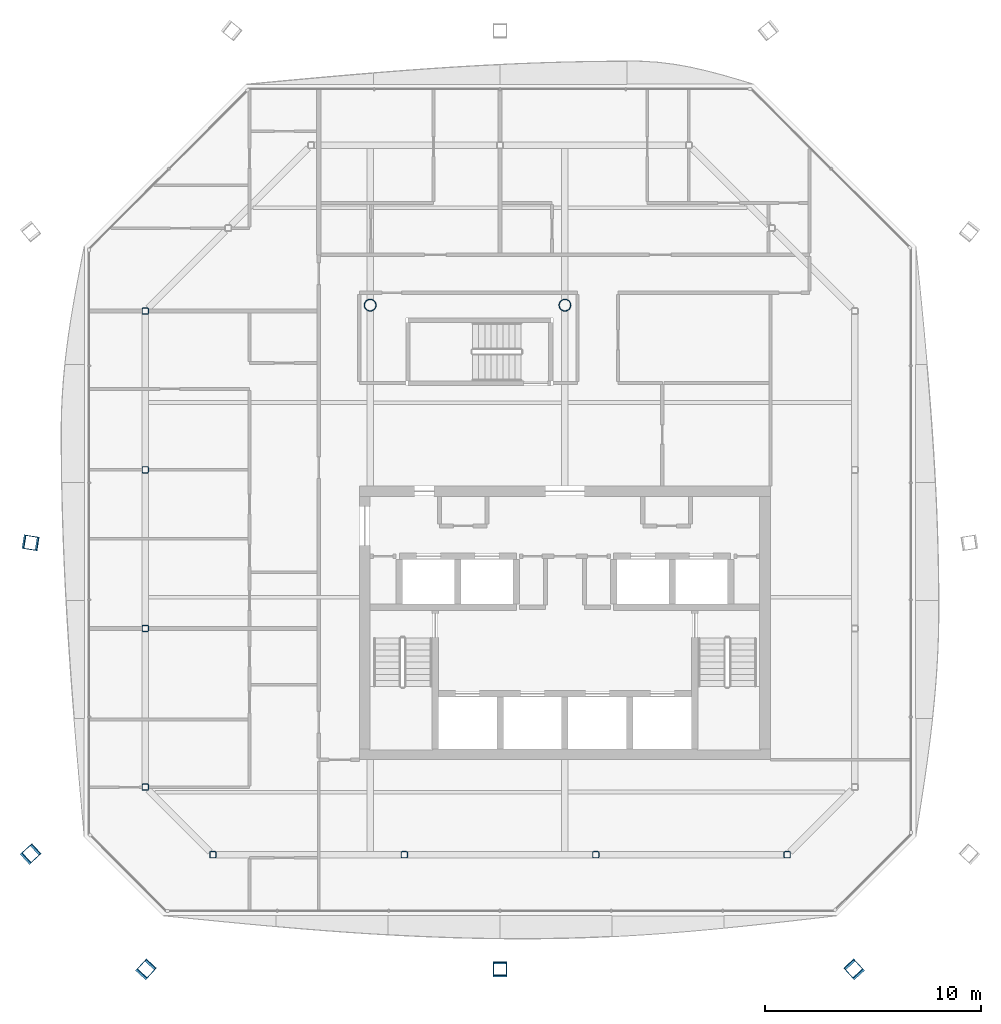
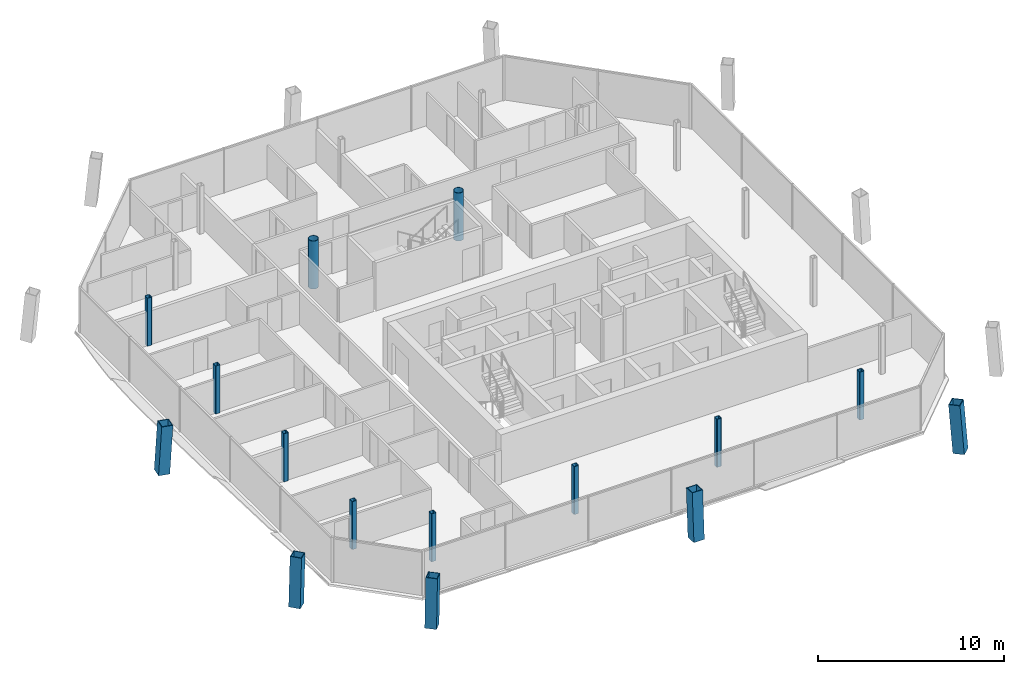
# One storey, part 1 of 18: 15 columns.
"""IFC4 building model written with IfcOpenShell, lengths in metres."""

from ifc_helpers import new_model, si_unit, direction, frame, origin, origin_2d, place, context, subcontext, project, spatial, hollow_rectangle, hollow_circle, extrude, material, material_profile, profile_set, type_object, element, save


model = new_model("IFC4")

# Units and contexts
model_context = context("Model", 3, precision=1e-05, world=origin(), true_north=direction((0.0, 1.0)))
body_context = subcontext(model_context, "Body", "Model", "MODEL_VIEW")
ifc_project = project(units=[si_unit("LENGTHUNIT", "METRE"), si_unit("AREAUNIT", "SQUARE_METRE"), si_unit("VOLUMEUNIT", "CUBIC_METRE"), si_unit("PLANEANGLEUNIT", "RADIAN"), si_unit("MASSUNIT", "GRAM", prefix="KILO")], contexts=[model_context])

# Site, building, storey
site_placement = place(None, origin())
site = spatial("IfcSite", under=ifc_project, at=site_placement, CompositionType="ELEMENT")
building_placement = place(site_placement, origin())
building = spatial("IfcBuilding", under=site, at=building_placement, Name="Tskaro Facet Tower", CompositionType="ELEMENT")
storey_placement = place(building_placement, frame((0.0, 0.0, 223.5)))
storey = spatial("IfcBuildingStorey", under=building, at=storey_placement, Name="L57", CompositionType="ELEMENT", Elevation=223.5)

# Columns
ifc_material_1 = material(Name="Steel S355J2", Category="steel")
ifc_material_profile_1 = material_profile(ifc_material_1, hollow_rectangle(XDim=0.64990234375, YDim=0.64990234375, WallThickness=0.0400390625, at=origin_2d()), Name="BOX 650x650x40")
ifc_profile_set_1 = profile_set([ifc_material_profile_1], Name="Steel S355J2")
column_type_1 = type_object("IfcColumnType", Name="BOX 650x650x40 mega column", PredefinedType="COLUMN", material=ifc_profile_set_1)
column_1_placement = place(storey_placement, frame((-19.386962890625, -21.719970703125, 0.0), z_axis=(0.052851955756, 0.057874436932, 0.996923878901), x_axis=(-0.738421459448, 0.674339490337, 0.0)))
element("IfcColumn", 1, at=column_1_placement, inside=storey, type_object=column_type_1, Name="BOX 650x650x40 MC01/5", PredefinedType="COLUMN", context=body_context, shape_type="SweptSolid", body=[
    extrude(hollow_rectangle(XDim=0.64990234375, YDim=0.64990234375, WallThickness=0.0400390625, at=origin_2d()), origin(), (0.0, 0.0, 1.0), 3.15966796875),
])
column_2_placement = place(storey_placement, frame((-3.0, -21.719970703125, 0.0), z_axis=(0.0, 0.057955437846, 0.998319171019), x_axis=(-1.0, 0.0, 0.0)))
element("IfcColumn", 2, at=column_2_placement, inside=storey, type_object=column_type_1, Name="BOX 650x650x40 MC02/5", PredefinedType="COLUMN", context=body_context, shape_type="SweptSolid", body=[
    extrude(hollow_rectangle(XDim=0.64990234375, YDim=0.64990234375, WallThickness=0.0400390625, at=origin_2d()), origin(), (0.0, 0.0, 1.0), 3.1552734375),
])
column_3_placement = place(storey_placement, frame((13.386962890625, -21.719970703125, 0.0), z_axis=(-0.052851955756, 0.057874436932, 0.996923878901), x_axis=(-0.738421459448, -0.674339490337, 0.0)))
element("IfcColumn", 3, at=column_3_placement, inside=storey, type_object=column_type_1, Name="BOX 650x650x40 MC03/5", PredefinedType="COLUMN", context=body_context, shape_type="SweptSolid", body=[
    extrude(hollow_rectangle(XDim=0.64990234375, YDim=0.64990234375, WallThickness=0.0400390625, at=origin_2d()), origin(), (0.0, 0.0, 1.0), 3.15966796875),
])
column_4_placement = place(storey_placement, frame((-24.719970703125, -1.972900390625, 0.0), z_axis=(0.057952981129, -0.009207482983, 0.998276852499), x_axis=(0.156910450318, 0.987612834354, 0.0)))
element("IfcColumn", 4, at=column_4_placement, inside=storey, type_object=column_type_1, Name="BOX 650x650x40 MC11/5", PredefinedType="COLUMN", context=body_context, shape_type="SweptSolid", body=[
    extrude(hollow_rectangle(XDim=0.64990234375, YDim=0.64990234375, WallThickness=0.0400390625, at=origin_2d()), origin(), (0.0, 0.0, 1.0), 3.1552734375),
])
column_5_placement = place(storey_placement, frame((-24.719970703125, -16.386962890625, 0.0), z_axis=(0.057874436932, 0.052851955756, 0.996923878901), x_axis=(-0.674339490337, 0.738421459448, 0.0)))
element("IfcColumn", 5, at=column_5_placement, inside=storey, type_object=column_type_1, Name="BOX 650x650x40 MC12/5", PredefinedType="COLUMN", context=body_context, shape_type="SweptSolid", body=[
    extrude(hollow_rectangle(XDim=0.64990234375, YDim=0.64990234375, WallThickness=0.0400390625, at=origin_2d()), origin(), (0.0, 0.0, 1.0), 3.15966796875),
])
ifc_material_2 = material(Name="Steel S355J2H", Category="steel")
ifc_material_profile_2 = material_profile(ifc_material_2, hollow_circle(Radius=0.279541015625, WallThickness=0.02490234375, at=origin_2d()), Name="CHS 559x25")
ifc_profile_set_2 = profile_set([ifc_material_profile_2], Name="Steel S355J2H")
column_type_2 = type_object("IfcColumnType", Name="CHS 559x25 interior column", PredefinedType="COLUMN", material=ifc_profile_set_2)
for number, where, z_axis, x_axis, name in (
    (6, (-9.0, 9.0, 0.0), (0.0, 0.0, 1.0), (1.0, 0.0, 0.0), "CHS 559x25 C3E/5"),
    (7, (0.0, 9.0, 0.0), (0.0, 0.0, 1.0), (1.0, 0.0, 0.0), "CHS 559x25 C4E/5"),
):
    element("IfcColumn", number, at=place(storey_placement, frame(where, z_axis=z_axis, x_axis=x_axis)), inside=storey, type_object=column_type_2, Name=name, PredefinedType="COLUMN", context=body_context, shape_type="SweptSolid", body=[
        extrude(hollow_circle(Radius=0.279541015625, WallThickness=0.02490234375, at=origin_2d()), origin(), (0.0, 0.0, 1.0), 3.14990234375),
    ])
ifc_material_profile_3 = material_profile(ifc_material_2, hollow_rectangle(XDim=0.300048828125, YDim=0.300048828125, WallThickness=0.02001953125, InnerFilletRadius=0.030029296875, OuterFilletRadius=0.050048828125, at=origin_2d()), Name="SHS 300x300x20")
ifc_profile_set_3 = profile_set([ifc_material_profile_3], Name="Steel S355J2H")
column_type_3 = type_object("IfcColumnType", Name="SHS 300x300x20 ring column", PredefinedType="COLUMN", material=ifc_profile_set_3)
for number, where, z_axis, x_axis, name in (
    (8, (-16.26806640625, -16.39111328125, 0.0), (0.0, 0.0, 1.0), (1.0, 0.0, 0.0), "SHS 300x300x20 RS-1/5"),
    (9, (-7.423095703125, -16.39111328125, 0.0), (0.0, 0.0, 1.0), (1.0, 0.0, 0.0), "SHS 300x300x20 RS-2/5"),
    (10, (1.423095703125, -16.39111328125, 0.0), (0.0, 0.0, 1.0), (1.0, 0.0, 0.0), "SHS 300x300x20 RS-3/5"),
    (11, (10.26806640625, -16.39111328125, 0.0), (0.0, 0.0, 1.0), (1.0, 0.0, 0.0), "SHS 300x300x20 RSE-1/5"),
    (12, (-19.39111328125, 8.72509765625, 0.0), (0.0, 0.0, 1.0), (1.0, 0.0, 0.0), "SHS 300x300x20 RW-1/5"),
    (13, (-19.39111328125, 1.39404296875, 0.0), (0.0, 0.0, 1.0), (1.0, 0.0, 0.0), "SHS 300x300x20 RW-2/5"),
    (14, (-19.39111328125, -5.93701171875, 0.0), (0.0, 0.0, 1.0), (1.0, 0.0, 0.0), "SHS 300x300x20 RW-3/5"),
    (15, (-19.39111328125, -13.26806640625, 0.0), (0.0, 0.0, 1.0), (1.0, 0.0, 0.0), "SHS 300x300x20 RSW-1/5"),
):
    element("IfcColumn", number, at=place(storey_placement, frame(where, z_axis=z_axis, x_axis=x_axis)), inside=storey, type_object=column_type_3, Name=name, PredefinedType="COLUMN", context=body_context, shape_type="SweptSolid", body=[
        extrude(hollow_rectangle(XDim=0.300048828125, YDim=0.300048828125, WallThickness=0.02001953125, InnerFilletRadius=0.030029296875, OuterFilletRadius=0.050048828125, at=origin_2d()), origin(), (0.0, 0.0, 1.0), 3.14990234375),
    ])

save(model, "model.ifc")
